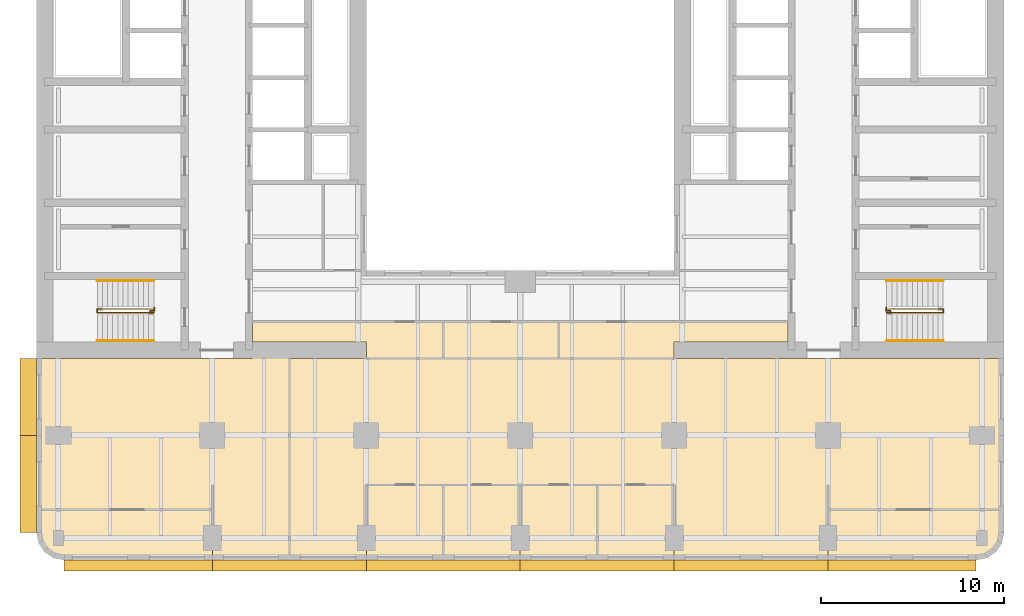
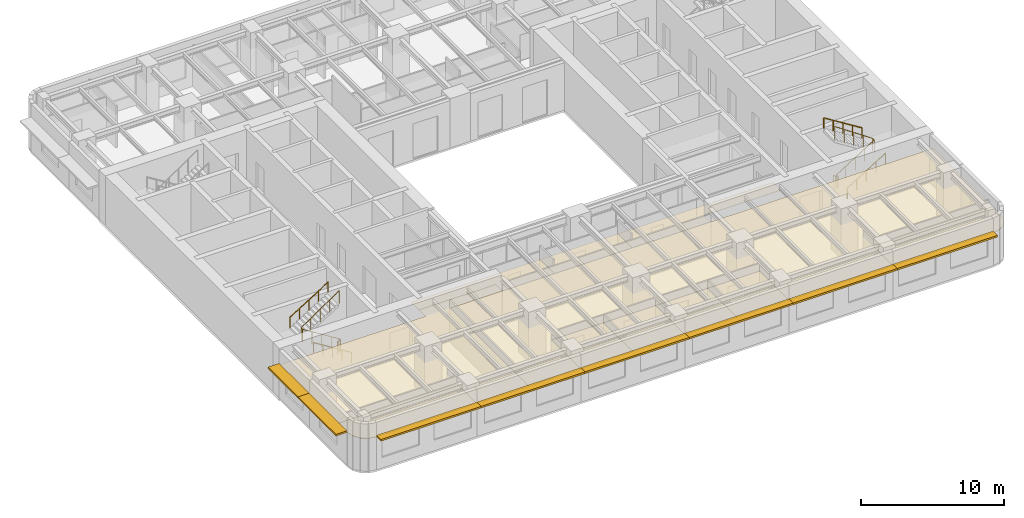
# One storey, part 9 of 11: 11 coverings, 8 railings, 8 shading devices.
"""IFC4 building model written with IfcOpenShell, lengths in metres."""

from ifc_helpers import new_model, si_unit, direction, frame, origin, origin_2d, place, context, subcontext, project, spatial, polyline, rectangle, circle, outline, extrude, material, layer, layer_set, type_object, element, save


model = new_model("IFC4")

# Units and contexts
model_context = context("Model", 3, precision=1e-05, world=origin(), true_north=direction((0.0, 1.0)))
body_context = subcontext(model_context, "Body", "Model", "MODEL_VIEW")
ifc_project = project(units=[si_unit("LENGTHUNIT", "METRE"), si_unit("AREAUNIT", "SQUARE_METRE"), si_unit("VOLUMEUNIT", "CUBIC_METRE"), si_unit("PLANEANGLEUNIT", "RADIAN"), si_unit("MASSUNIT", "GRAM", prefix="KILO")], contexts=[model_context])

# Site, building, storey
site_placement = place(None, origin())
site = spatial("IfcSite", under=ifc_project, at=site_placement, CompositionType="ELEMENT")
building_placement = place(site_placement, origin())
building = spatial("IfcBuilding", under=site, at=building_placement, Name="Claustro Exchange Tower", CompositionType="ELEMENT")
storey_placement = place(building_placement, frame((0.0, 0.0, 159.60009765625)))
storey = spatial("IfcBuildingStorey", under=building, at=storey_placement, Name="L36", CompositionType="ELEMENT", Elevation=159.60009765625)

# Coverings
ifc_material_1 = material(Name="Perforated metal ceiling tiles", Category="steel")
ifc_layer_1 = layer(ifc_material_1, 0.030029296875)
ifc_layer_set_1 = layer_set([ifc_layer_1], Name="Perforated metal ceiling tiles")
covering_type_1 = type_object("IfcCoveringType", Name="CL1 suspended metal ceiling", PredefinedType="CEILING", material=ifc_layer_set_1)
covering_1_placement = place(storey_placement, frame((0.0, 0.0, 2.7998046875)))
element("IfcCovering", 1, at=covering_1_placement, inside=storey, type_object=covering_type_1, Name="Ceiling CL1 L36-08", PredefinedType="CEILING", context=body_context, shape_type="SweptSolid", body=[
    extrude(outline(polyline([(10.60009765625, 13.5), (10.60009765625, 12.60009765625), (-1.199951171875, 12.60009765625), (-1.199951171875, 4.35009765625), (8.39990234375, 4.35009765625), (8.39990234375, 1.60009765625), (12.60009765625, 1.60009765625), (12.60009765625, 12.60009765625), (16.800048828125, 12.60009765625), (16.800048828125, 13.5), (10.60009765625, 13.5)])), origin(), (0.0, 0.0, 1.0), 0.030029296875),
])
ifc_material_2 = material(Name="Gypsum board ceiling", Category="gypsum board")
ifc_layer_2 = layer(ifc_material_2, 0.02490234375)
ifc_layer_set_2 = layer_set([ifc_layer_2], Name="Gypsum board ceiling")
covering_type_2 = type_object("IfcCoveringType", Name="CL2 plasterboard ceiling", PredefinedType="CEILING", material=ifc_layer_set_2)
covering_2_placement = place(storey_placement, frame((0.0, 0.0, 2.7998046875)))
element("IfcCovering", 2, at=covering_2_placement, inside=storey, type_object=covering_type_2, Name="Ceiling CL2 L36-01", PredefinedType="CEILING", context=body_context, shape_type="SweptSolid", body=[
    extrude(outline(polyline([(-1.085693359375, 2.52587890625), (-0.7607421875, 2.039306640625), (-0.27392578125, 1.714111328125), (0.300048828125, 1.60009765625), (8.39990234375, 1.60009765625), (8.39990234375, 4.35009765625), (-1.199951171875, 4.35009765625), (-1.199951171875, 3.10009765625), (-1.085693359375, 2.52587890625)])), origin(), (0.0, 0.0, 1.0), 0.025146484375),
])
covering_3_placement = place(storey_placement, frame((0.0, 0.0, 2.7998046875)))
element("IfcCovering", 3, at=covering_3_placement, inside=storey, type_object=covering_type_2, Name="Ceiling CL2 L36-02", PredefinedType="CEILING", context=body_context, shape_type="SweptSolid", body=[
    extrude(outline(polyline([(51.60009765625, 3.10009765625), (51.60009765625, 4.35009765625), (42.0, 4.35009765625), (42.0, 1.60009765625), (50.10009765625, 1.60009765625), (50.674072265625, 1.714111328125), (51.16064453125, 2.039306640625), (51.48583984375, 2.52587890625), (51.60009765625, 3.10009765625)])), origin(), (0.0, 0.0, 1.0), 0.025146484375),
])
covering_4_placement = place(storey_placement, frame((0.0, 0.0, 2.7998046875)))
element("IfcCovering", 4, at=covering_4_placement, inside=storey, type_object=covering_type_2, Name="Ceiling CL2 L36-03", PredefinedType="CEILING", context=body_context, shape_type="SweptSolid", body=[
    extrude(outline(polyline([(16.800048828125, 1.60009765625), (21.0, 1.60009765625), (21.0, 5.699951171875), (16.800048828125, 5.699951171875), (16.800048828125, 1.60009765625)])), origin(), (0.0, 0.0, 1.0), 0.025146484375),
])
covering_5_placement = place(storey_placement, frame((0.0, 0.0, 2.7998046875)))
element("IfcCovering", 5, at=covering_5_placement, inside=storey, type_object=covering_type_2, Name="Ceiling CL2 L36-04", PredefinedType="CEILING", context=body_context, shape_type="SweptSolid", body=[
    extrude(outline(polyline([(21.0, 1.60009765625), (25.199951171875, 1.60009765625), (25.199951171875, 5.699951171875), (21.0, 5.699951171875), (21.0, 1.60009765625)])), origin(), (0.0, 0.0, 1.0), 0.025146484375),
])
covering_6_placement = place(storey_placement, frame((0.0, 0.0, 2.7998046875)))
element("IfcCovering", 6, at=covering_6_placement, inside=storey, type_object=covering_type_2, Name="Ceiling CL2 L36-05", PredefinedType="CEILING", context=body_context, shape_type="SweptSolid", body=[
    extrude(outline(polyline([(25.199951171875, 1.60009765625), (29.39990234375, 1.60009765625), (29.39990234375, 5.699951171875), (25.199951171875, 5.699951171875), (25.199951171875, 1.60009765625)])), origin(), (0.0, 0.0, 1.0), 0.025146484375),
])
covering_7_placement = place(storey_placement, frame((0.0, 0.0, 2.7998046875)))
element("IfcCovering", 7, at=covering_7_placement, inside=storey, type_object=covering_type_2, Name="Ceiling CL2 L36-06", PredefinedType="CEILING", context=body_context, shape_type="SweptSolid", body=[
    extrude(outline(polyline([(29.39990234375, 1.60009765625), (33.60009765625, 1.60009765625), (33.60009765625, 5.699951171875), (29.39990234375, 5.699951171875), (29.39990234375, 1.60009765625)])), origin(), (0.0, 0.0, 1.0), 0.025146484375),
])
covering_8_placement = place(storey_placement, frame((0.0, 0.0, 2.7998046875)))
element("IfcCovering", 8, at=covering_8_placement, inside=storey, type_object=covering_type_2, Name="Ceiling CL2 L36-07", PredefinedType="CEILING", context=body_context, shape_type="SweptSolid", body=[
    extrude(outline(polyline([(51.60009765625, 12.60009765625), (39.800048828125, 12.60009765625), (12.60009765625, 12.60009765625), (12.60009765625, 1.60009765625), (16.800048828125, 1.60009765625), (16.800048828125, 5.699951171875), (21.0, 5.699951171875), (25.199951171875, 5.699951171875), (29.39990234375, 5.699951171875), (33.60009765625, 5.699951171875), (33.60009765625, 1.60009765625), (42.0, 1.60009765625), (42.0, 4.35009765625), (51.60009765625, 4.35009765625), (51.60009765625, 12.60009765625)])), origin(), (0.0, 0.0, 1.0), 0.025146484375),
])
covering_9_placement = place(storey_placement, frame((0.0, 0.0, 2.7998046875)))
element("IfcCovering", 9, at=covering_9_placement, inside=storey, type_object=covering_type_2, Name="Ceiling CL2 L36-09", PredefinedType="CEILING", context=body_context, shape_type="SweptSolid", body=[
    extrude(outline(polyline([(21.0, 12.60009765625), (27.300048828125, 12.60009765625), (27.300048828125, 14.60009765625), (21.0, 14.60009765625), (21.0, 12.60009765625)])), origin(), (0.0, 0.0, 1.0), 0.025146484375),
])
covering_10_placement = place(storey_placement, frame((0.0, 0.0, 2.7998046875)))
element("IfcCovering", 10, at=covering_10_placement, inside=storey, type_object=covering_type_2, Name="Ceiling CL2 L36-10", PredefinedType="CEILING", context=body_context, shape_type="SweptSolid", body=[
    extrude(outline(polyline([(10.60009765625, 14.60009765625), (10.60009765625, 13.5), (16.800048828125, 13.5), (16.800048828125, 12.60009765625), (21.0, 12.60009765625), (21.0, 14.60009765625), (16.800048828125, 14.60009765625), (16.800048828125, 14.60009765625), (10.60009765625, 14.60009765625)])), origin(), (0.0, 0.0, 1.0), 0.025146484375),
])
covering_11_placement = place(storey_placement, frame((0.0, 0.0, 2.7998046875)))
element("IfcCovering", 11, at=covering_11_placement, inside=storey, type_object=covering_type_2, Name="Ceiling CL2 L36-11", PredefinedType="CEILING", context=body_context, shape_type="SweptSolid", body=[
    extrude(outline(polyline([(39.800048828125, 13.5), (39.800048828125, 14.60009765625), (33.60009765625, 14.60009765625), (33.60009765625, 14.60009765625), (27.300048828125, 14.60009765625), (27.300048828125, 12.60009765625), (33.60009765625, 12.60009765625), (33.60009765625, 13.5), (39.800048828125, 13.5)])), origin(), (0.0, 0.0, 1.0), 0.025146484375),
])

# Railings
ifc_material_3 = material(Name="Steel balustrade, painted", Category="steel")
railing_type_1 = type_object("IfcRailingType", Name="GR2 1100 steel stair guard", PredefinedType="GUARDRAIL", material=ifc_material_3)
railing_1_placement = place(storey_placement, frame((5.199951171875, 15.10009765625, 0.1748046875)))
element("IfcRailing", 12, at=railing_1_placement, inside=storey, type_object=railing_type_1, Name="Stair well guard GR2 stair STWA L36", PredefinedType="GUARDRAIL", context=body_context, shape_type="SweptSolid", body=[
    extrude(circle(Radius=0.02392578125, at=origin_2d()), frame((0.0, 0.0, 1.076171875), z_axis=(-0.847979421464, 0.0, 0.530029150871), x_axis=(0.0, -1.0, 0.0)), (0.0, 0.0, 1.0), 3.632080078125),
    extrude(circle(Radius=0.02392578125, at=origin_2d()), frame((-3.079833984375, 0.0, 3.0009765625), z_axis=(0.0, 1.0, 0.0), x_axis=(-1.0, 0.0, 0.0)), (0.0, 0.0, 1.0), 0.199951171875),
    extrude(circle(Radius=0.02392578125, at=origin_2d()), frame((-3.079833984375, 0.199951171875, 3.0009765625), z_axis=(0.826201015165, 0.0, 0.563375436579), x_axis=(0.0, 1.0, 0.0)), (0.0, 0.0, 1.0), 3.727783203125),
    extrude(circle(Radius=0.02099609375, at=origin_2d()), origin(), (0.0, 0.0, 1.0), 1.052001953125),
    extrude(circle(Radius=0.02099609375, at=origin_2d()), frame((-0.77001953125, 0.0, 0.481201171875)), (0.0, 0.0, 1.0), 1.052001953125),
    extrude(circle(Radius=0.02099609375, at=origin_2d()), frame((-1.5400390625, 0.0, 0.96240234375)), (0.0, 0.0, 1.0), 1.052001953125),
    extrude(circle(Radius=0.02099609375, at=origin_2d()), frame((-2.309814453125, 0.0, 1.44384765625)), (0.0, 0.0, 1.0), 1.052001953125),
    extrude(circle(Radius=0.02099609375, at=origin_2d()), frame((-3.079833984375, 0.0, 1.925048828125)), (0.0, 0.0, 1.0), 1.052001953125),
    extrude(circle(Radius=0.02099609375, at=origin_2d()), frame((-3.079833984375, 0.199951171875, 1.925048828125)), (0.0, 0.0, 1.0), 1.052001953125),
    extrude(circle(Radius=0.02099609375, at=origin_2d()), frame((-2.309814453125, 0.199951171875, 2.4501953125)), (0.0, 0.0, 1.0), 1.052001953125),
    extrude(circle(Radius=0.02099609375, at=origin_2d()), frame((-1.5400390625, 0.199951171875, 2.97509765625)), (0.0, 0.0, 1.0), 1.052001953125),
    extrude(circle(Radius=0.02099609375, at=origin_2d()), frame((-0.77001953125, 0.199951171875, 3.5)), (0.0, 0.0, 1.0), 1.052001953125),
    extrude(circle(Radius=0.02099609375, at=origin_2d()), frame((0.0, 0.199951171875, 4.025146484375)), (0.0, 0.0, 1.0), 1.052001953125),
])
railing_2_placement = place(storey_placement, frame((5.0, 15.169921875, 0.0)))
element("IfcRailing", 13, at=railing_2_placement, inside=storey, type_object=railing_type_1, Name="Stair guard GR2 STWA L36", PredefinedType="GUARDRAIL", context=body_context, shape_type="SweptSolid", body=[
    extrude(circle(Radius=0.02392578125, at=origin_2d()), frame((0.0, 0.0, 1.076171875), z_axis=(0.0, 1.0, 0.0), x_axis=(-1.0, 0.0, 0.0)), (0.0, 0.0, 1.0), 0.030029296875),
    extrude(circle(Radius=0.02392578125, at=origin_2d()), frame((0.0, 0.030029296875, 1.076171875), z_axis=(1.0, 0.0, 0.0), x_axis=(0.0, 1.0, 0.0)), (0.0, 0.0, 1.0), 0.22509765625),
    extrude(circle(Radius=0.02392578125, at=origin_2d()), frame((0.22509765625, 0.030029296875, 1.076171875), z_axis=(0.0, 1.0, 0.0), x_axis=(-1.0, 0.0, 0.0)), (0.0, 0.0, 1.0), 0.179931640625),
    extrude(circle(Radius=0.02099609375, at=origin_2d()), origin(), (0.0, 0.0, 1.0), 1.052001953125),
    extrude(circle(Radius=0.02099609375, at=origin_2d()), frame((0.0, 0.030029296875, 0.0)), (0.0, 0.0, 1.0), 1.052001953125),
    extrude(circle(Radius=0.02099609375, at=origin_2d()), frame((0.22509765625, 0.030029296875, 0.0)), (0.0, 0.0, 1.0), 1.052001953125),
    extrude(circle(Radius=0.02099609375, at=origin_2d()), frame((0.22509765625, 0.2099609375, 0.0)), (0.0, 0.0, 1.0), 1.052001953125),
])
railing_3_placement = place(storey_placement, frame((45.199951171875, 15.10009765625, 0.1748046875)))
element("IfcRailing", 14, at=railing_3_placement, inside=storey, type_object=railing_type_1, Name="Stair well guard GR2 stair STEA L36", PredefinedType="GUARDRAIL", context=body_context, shape_type="SweptSolid", body=[
    extrude(circle(Radius=0.02392578125, at=origin_2d()), frame((0.0, 0.0, 1.076171875), z_axis=(0.847998304005, 0.0, 0.529998940003), x_axis=(0.0, 1.0, 0.0)), (0.0, 0.0, 1.0), 3.632080078125),
    extrude(circle(Radius=0.02392578125, at=origin_2d()), frame((3.080078125, 0.0, 3.0009765625), z_axis=(0.0, 1.0, 0.0), x_axis=(-1.0, 0.0, 0.0)), (0.0, 0.0, 1.0), 0.199951171875),
    extrude(circle(Radius=0.02392578125, at=origin_2d()), frame((3.080078125, 0.199951171875, 3.0009765625), z_axis=(-0.826221800596, 0.0, 0.563344953133), x_axis=(0.0, -1.0, 0.0)), (0.0, 0.0, 1.0), 3.72802734375),
    extrude(circle(Radius=0.02099609375, at=origin_2d()), origin(), (0.0, 0.0, 1.0), 1.052001953125),
    extrude(circle(Radius=0.02099609375, at=origin_2d()), frame((0.77001953125, 0.0, 0.481201171875)), (0.0, 0.0, 1.0), 1.052001953125),
    extrude(circle(Radius=0.02099609375, at=origin_2d()), frame((1.5400390625, 0.0, 0.96240234375)), (0.0, 0.0, 1.0), 1.052001953125),
    extrude(circle(Radius=0.02099609375, at=origin_2d()), frame((2.31005859375, 0.0, 1.44384765625)), (0.0, 0.0, 1.0), 1.052001953125),
    extrude(circle(Radius=0.02099609375, at=origin_2d()), frame((3.080078125, 0.0, 1.925048828125)), (0.0, 0.0, 1.0), 1.052001953125),
    extrude(circle(Radius=0.02099609375, at=origin_2d()), frame((3.080078125, 0.199951171875, 1.925048828125)), (0.0, 0.0, 1.0), 1.052001953125),
    extrude(circle(Radius=0.02099609375, at=origin_2d()), frame((2.31005859375, 0.199951171875, 2.4501953125)), (0.0, 0.0, 1.0), 1.052001953125),
    extrude(circle(Radius=0.02099609375, at=origin_2d()), frame((1.5400390625, 0.199951171875, 2.97509765625)), (0.0, 0.0, 1.0), 1.052001953125),
    extrude(circle(Radius=0.02099609375, at=origin_2d()), frame((0.77001953125, 0.199951171875, 3.5)), (0.0, 0.0, 1.0), 1.052001953125),
    extrude(circle(Radius=0.02099609375, at=origin_2d()), frame((0.0, 0.199951171875, 4.025146484375)), (0.0, 0.0, 1.0), 1.052001953125),
])
railing_4_placement = place(storey_placement, frame((45.39990234375, 15.169921875, 0.0)))
element("IfcRailing", 15, at=railing_4_placement, inside=storey, type_object=railing_type_1, Name="Stair guard GR2 STEA L36", PredefinedType="GUARDRAIL", context=body_context, shape_type="SweptSolid", body=[
    extrude(circle(Radius=0.02392578125, at=origin_2d()), frame((0.0, 0.0, 1.076171875), z_axis=(0.0, 1.0, 0.0), x_axis=(-1.0, 0.0, 0.0)), (0.0, 0.0, 1.0), 0.030029296875),
    extrude(circle(Radius=0.02392578125, at=origin_2d()), frame((0.0, 0.030029296875, 1.076171875), z_axis=(-1.0, 0.0, 0.0), x_axis=(0.0, -1.0, 0.0)), (0.0, 0.0, 1.0), 0.224853515625),
    extrude(circle(Radius=0.02392578125, at=origin_2d()), frame((-0.224853515625, 0.030029296875, 1.076171875), z_axis=(0.0, 1.0, 0.0), x_axis=(-1.0, 0.0, 0.0)), (0.0, 0.0, 1.0), 0.179931640625),
    extrude(circle(Radius=0.02099609375, at=origin_2d()), origin(), (0.0, 0.0, 1.0), 1.052001953125),
    extrude(circle(Radius=0.02099609375, at=origin_2d()), frame((0.0, 0.030029296875, 0.0)), (0.0, 0.0, 1.0), 1.052001953125),
    extrude(circle(Radius=0.02099609375, at=origin_2d()), frame((-0.224853515625, 0.030029296875, 0.0)), (0.0, 0.0, 1.0), 1.052001953125),
    extrude(circle(Radius=0.02099609375, at=origin_2d()), frame((-0.224853515625, 0.2099609375, 0.0)), (0.0, 0.0, 1.0), 1.052001953125),
])
ifc_material_4 = material(Name="Stainless steel tube", Category="steel")
railing_type_2 = type_object("IfcRailingType", Name="HR1 900 stair handrail", PredefinedType="HANDRAIL", material=ifc_material_4)
railing_5_placement = place(storey_placement, frame((5.199951171875, 13.56005859375, 0.1748046875)))
element("IfcRailing", 16, at=railing_5_placement, inside=storey, type_object=railing_type_2, Name="Handrail HR1 stair STWA L36", PredefinedType="HANDRAIL", context=body_context, shape_type="SweptSolid", body=[
    extrude(circle(Radius=0.02392578125, at=origin_2d()), frame((0.0, 0.0, 0.8759765625), z_axis=(-0.847979421464, 0.0, 0.530029150871), x_axis=(0.0, -1.0, 0.0)), (0.0, 0.0, 1.0), 3.632080078125),
    extrude(circle(Radius=0.02099609375, at=origin_2d()), origin(), (0.0, 0.0, 1.0), 0.851806640625),
    extrude(circle(Radius=0.02099609375, at=origin_2d()), frame((-0.77001953125, 0.0, 0.481201171875)), (0.0, 0.0, 1.0), 0.851806640625),
    extrude(circle(Radius=0.02099609375, at=origin_2d()), frame((-1.5400390625, 0.0, 0.96240234375)), (0.0, 0.0, 1.0), 0.851806640625),
    extrude(circle(Radius=0.02099609375, at=origin_2d()), frame((-2.309814453125, 0.0, 1.44384765625)), (0.0, 0.0, 1.0), 0.851806640625),
    extrude(circle(Radius=0.02099609375, at=origin_2d()), frame((-3.079833984375, 0.0, 1.925048828125)), (0.0, 0.0, 1.0), 0.851806640625),
])
railing_6_placement = place(storey_placement, frame((2.1201171875, 16.840087890625, 2.27490234375)))
element("IfcRailing", 17, at=railing_6_placement, inside=storey, type_object=railing_type_2, Name="Handrail HR1 stair STWA L36", PredefinedType="HANDRAIL", context=body_context, shape_type="SweptSolid", body=[
    extrude(circle(Radius=0.02392578125, at=origin_2d()), frame((0.0, 0.0, 0.8759765625), z_axis=(0.847979421464, 0.0, 0.530029150871), x_axis=(0.0, 1.0, 0.0)), (0.0, 0.0, 1.0), 3.632080078125),
    extrude(circle(Radius=0.02099609375, at=origin_2d()), origin(), (0.0, 0.0, 1.0), 0.851806640625),
    extrude(circle(Radius=0.02099609375, at=origin_2d()), frame((0.77001953125, 0.0, 0.481201171875)), (0.0, 0.0, 1.0), 0.851806640625),
    extrude(circle(Radius=0.02099609375, at=origin_2d()), frame((1.5400390625, 0.0, 0.96240234375)), (0.0, 0.0, 1.0), 0.851806640625),
    extrude(circle(Radius=0.02099609375, at=origin_2d()), frame((2.309814453125, 0.0, 1.44384765625)), (0.0, 0.0, 1.0), 0.851806640625),
    extrude(circle(Radius=0.02099609375, at=origin_2d()), frame((3.079833984375, 0.0, 1.925048828125)), (0.0, 0.0, 1.0), 0.851806640625),
])
railing_7_placement = place(storey_placement, frame((45.199951171875, 13.56005859375, 0.1748046875)))
element("IfcRailing", 18, at=railing_7_placement, inside=storey, type_object=railing_type_2, Name="Handrail HR1 stair STEA L36", PredefinedType="HANDRAIL", context=body_context, shape_type="SweptSolid", body=[
    extrude(circle(Radius=0.02392578125, at=origin_2d()), frame((0.0, 0.0, 0.8759765625), z_axis=(0.847998304005, 0.0, 0.529998940003), x_axis=(0.0, 1.0, 0.0)), (0.0, 0.0, 1.0), 3.632080078125),
    extrude(circle(Radius=0.02099609375, at=origin_2d()), origin(), (0.0, 0.0, 1.0), 0.851806640625),
    extrude(circle(Radius=0.02099609375, at=origin_2d()), frame((0.77001953125, 0.0, 0.481201171875)), (0.0, 0.0, 1.0), 0.851806640625),
    extrude(circle(Radius=0.02099609375, at=origin_2d()), frame((1.5400390625, 0.0, 0.96240234375)), (0.0, 0.0, 1.0), 0.851806640625),
    extrude(circle(Radius=0.02099609375, at=origin_2d()), frame((2.31005859375, 0.0, 1.44384765625)), (0.0, 0.0, 1.0), 0.851806640625),
    extrude(circle(Radius=0.02099609375, at=origin_2d()), frame((3.080078125, 0.0, 1.925048828125)), (0.0, 0.0, 1.0), 0.851806640625),
])
railing_8_placement = place(storey_placement, frame((48.280029296875, 16.840087890625, 2.27490234375)))
element("IfcRailing", 19, at=railing_8_placement, inside=storey, type_object=railing_type_2, Name="Handrail HR1 stair STEA L36", PredefinedType="HANDRAIL", context=body_context, shape_type="SweptSolid", body=[
    extrude(circle(Radius=0.02392578125, at=origin_2d()), frame((0.0, 0.0, 0.8759765625), z_axis=(-0.847998304005, 0.0, 0.529998940003), x_axis=(0.0, -1.0, 0.0)), (0.0, 0.0, 1.0), 3.632080078125),
    extrude(circle(Radius=0.02099609375, at=origin_2d()), origin(), (0.0, 0.0, 1.0), 0.851806640625),
    extrude(circle(Radius=0.02099609375, at=origin_2d()), frame((-0.77001953125, 0.0, 0.481201171875)), (0.0, 0.0, 1.0), 0.851806640625),
    extrude(circle(Radius=0.02099609375, at=origin_2d()), frame((-1.5400390625, 0.0, 0.96240234375)), (0.0, 0.0, 1.0), 0.851806640625),
    extrude(circle(Radius=0.02099609375, at=origin_2d()), frame((-2.31005859375, 0.0, 1.44384765625)), (0.0, 0.0, 1.0), 0.851806640625),
    extrude(circle(Radius=0.02099609375, at=origin_2d()), frame((-3.080078125, 0.0, 1.925048828125)), (0.0, 0.0, 1.0), 0.851806640625),
])

# Shading devices
ifc_material_5 = material(Name="Concrete HA-40 (C40/50), precast, white cement, acid-etched", Category="concrete")
ifc_layer_3 = layer(ifc_material_5, 0.14990234375)
ifc_layer_set_3 = layer_set([ifc_layer_3], Name="Concrete HA-40 (C40/50), precast, white cement, acid-etched")
shading_device_type_1 = type_object("IfcShadingDeviceType", Name="SS1 600 precast concrete SUNSHADE", PredefinedType="SHUTTER", material=ifc_layer_set_3)
shading_device_1_placement = place(storey_placement, frame((46.04248046875, 1.300048828125, 2.800048828125), z_axis=(0.0, 0.0, 1.0), x_axis=(-1.0, 0.0, 0.0)))
element("IfcShadingDevice", 20, at=shading_device_1_placement, inside=storey, type_object=shading_device_type_1, Name="Precast SUNSHADE SS1 L36", PredefinedType="SHUTTER", context=body_context, shape_type="SweptSolid", body=[
    extrude(rectangle(XDim=8.085205078125, YDim=0.60009765625, at=origin_2d()), origin(), (0.0, 0.0, 1.0), 0.14990234375),
])
for number, where, z_axis, x_axis, name in (
    (21, (37.800048828125, 1.300048828125, 2.800048828125), (0.0, 0.0, 1.0), (-1.0, 0.0, 0.0), "Precast SUNSHADE SS1 L36"),
    (22, (29.39990234375, 1.300048828125, 2.800048828125), (0.0, 0.0, 1.0), (-1.0, 0.0, 0.0), "Precast SUNSHADE SS1 L36"),
    (23, (21.0, 1.300048828125, 2.800048828125), (0.0, 0.0, 1.0), (-1.0, 0.0, 0.0), "Precast SUNSHADE SS1 L36"),
    (24, (12.60009765625, 1.300048828125, 2.800048828125), (0.0, 0.0, 1.0), (-1.0, 0.0, 0.0), "Precast SUNSHADE SS1 L36"),
):
    element("IfcShadingDevice", number, at=place(storey_placement, frame(where, z_axis=z_axis, x_axis=x_axis)), inside=storey, type_object=shading_device_type_1, Name=name, PredefinedType="SHUTTER", context=body_context, shape_type="SweptSolid", body=[
        extrude(rectangle(XDim=8.39990234375, YDim=0.60009765625, at=origin_2d()), origin(), (0.0, 0.0, 1.0), 0.14990234375),
    ])
shading_device_2_placement = place(storey_placement, frame((4.357421875, 1.300048828125, 2.800048828125), z_axis=(0.0, 0.0, 1.0), x_axis=(-1.0, 0.0, 0.0)))
element("IfcShadingDevice", 25, at=shading_device_2_placement, inside=storey, type_object=shading_device_type_1, Name="Precast SUNSHADE SS1 L36", PredefinedType="SHUTTER", context=body_context, shape_type="SweptSolid", body=[
    extrude(rectangle(XDim=8.085205078125, YDim=0.60009765625, at=origin_2d()), origin(), (0.0, 0.0, 1.0), 0.14990234375),
])
ifc_material_6 = material(Name="Concrete HA-40 (C40/50), precast, white cement, acid-etched", Category="concrete")
ifc_layer_4 = layer(ifc_material_6, 0.14990234375)
ifc_layer_set_4 = layer_set([ifc_layer_4], Name="Concrete HA-40 (C40/50), precast, white cement, acid-etched")
shading_device_type_2 = type_object("IfcShadingDeviceType", Name="SS2 900 precast concrete SUNSHADE", PredefinedType="SHUTTER", material=ifc_layer_set_4)
shading_device_3_placement = place(storey_placement, frame((-1.64990234375, 5.75732421875, 2.800048828125), z_axis=(0.0, 0.0, 1.0), x_axis=(0.0, 1.0, 0.0)))
element("IfcShadingDevice", 26, at=shading_device_3_placement, inside=storey, type_object=shading_device_type_2, Name="Precast SUNSHADE SS2 L36", PredefinedType="SHUTTER", context=body_context, shape_type="SweptSolid", body=[
    extrude(rectangle(XDim=5.28515625, YDim=0.89990234375, at=origin_2d()), origin(), (0.0, 0.0, 1.0), 0.14990234375),
])
shading_device_4_placement = place(storey_placement, frame((-1.64990234375, 10.5, 2.800048828125), z_axis=(0.0, 0.0, 1.0), x_axis=(0.0, 1.0, 0.0)))
element("IfcShadingDevice", 27, at=shading_device_4_placement, inside=storey, type_object=shading_device_type_2, Name="Precast SUNSHADE SS2 L36", PredefinedType="SHUTTER", context=body_context, shape_type="SweptSolid", body=[
    extrude(rectangle(XDim=4.199951171875, YDim=0.89990234375, at=origin_2d()), origin(), (0.0, 0.0, 1.0), 0.14990234375),
])

save(model, "model.ifc")
